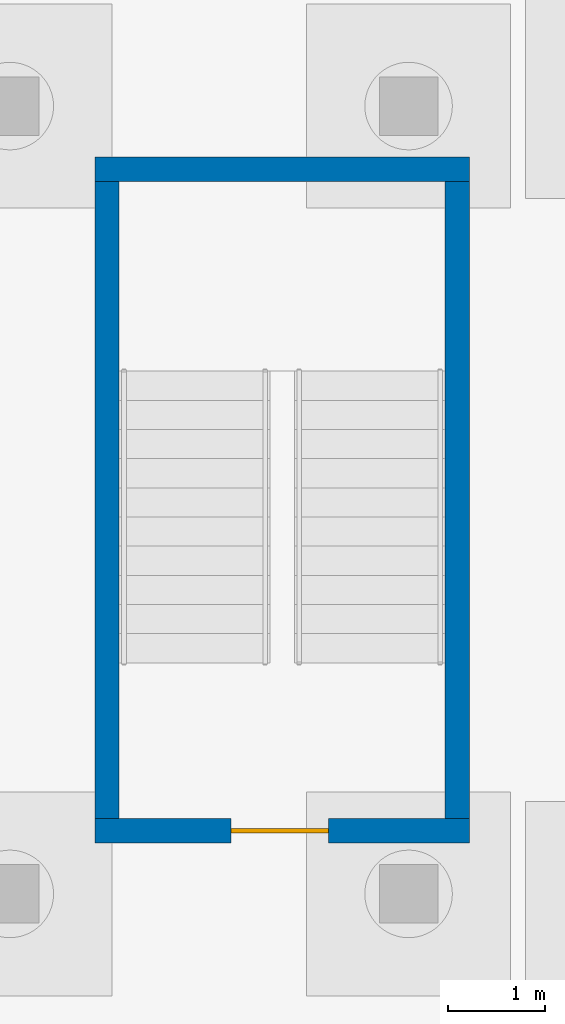
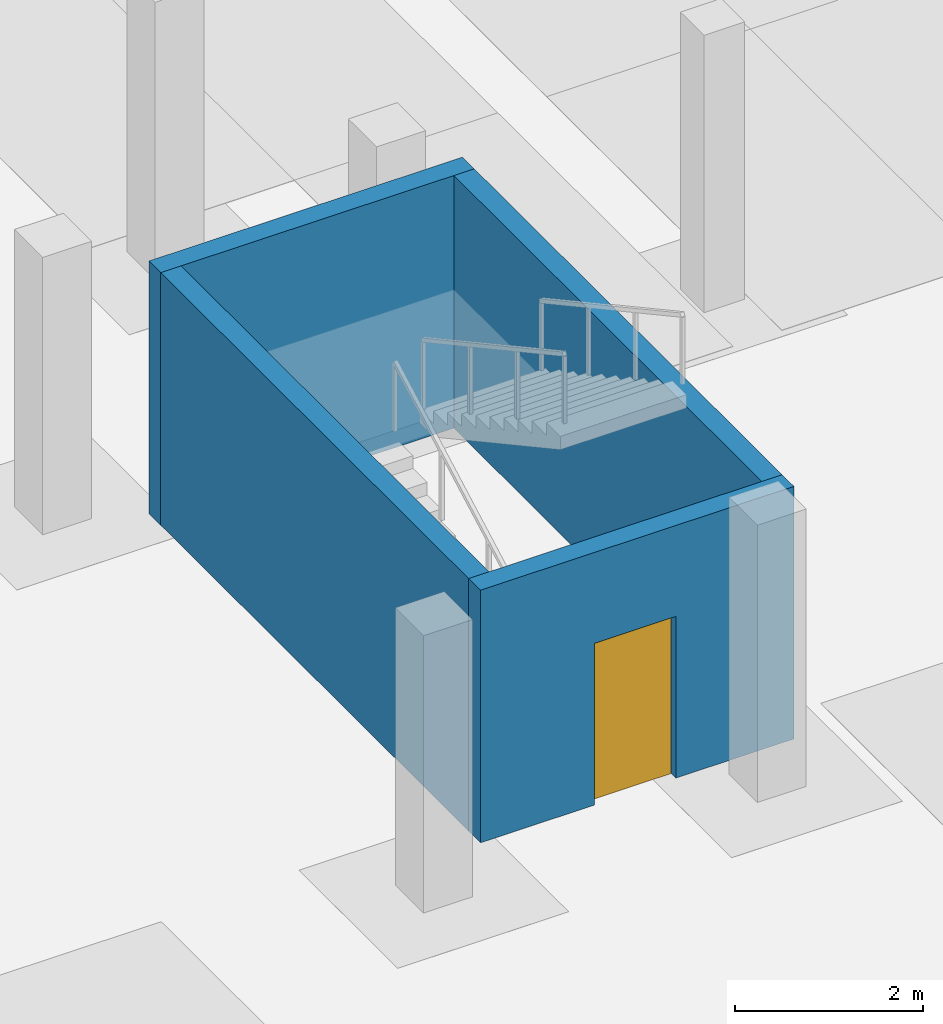
# One storey, part 19 of 23: 4 walls, 1 door, 1 opening.
"""IFC4 building model written with IfcOpenShell, lengths in metres."""

from ifc_helpers import new_model, si_unit, direction, frame, frame_2d, origin, place, context, subcontext, project, spatial, rectangle, extrude, material, layer, layer_set, type_object, element, fill, save


model = new_model("IFC4")

# Units and contexts
model_context = context("Model", 3, precision=1e-05, world=origin(), true_north=direction((0.0, 1.0)))
body_context = subcontext(model_context, "Body", "Model", "MODEL_VIEW")
ifc_project = project(units=[si_unit("LENGTHUNIT", "METRE"), si_unit("AREAUNIT", "SQUARE_METRE"), si_unit("VOLUMEUNIT", "CUBIC_METRE"), si_unit("PLANEANGLEUNIT", "RADIAN"), si_unit("MASSUNIT", "GRAM", prefix="KILO")], contexts=[model_context])

# Site, building, storey
site_placement = place(None, origin())
site = spatial("IfcSite", under=ifc_project, at=site_placement, CompositionType="ELEMENT")
building_placement = place(site_placement, origin())
building = spatial("IfcBuilding", under=site, at=building_placement, Name="Torre Triforio", CompositionType="ELEMENT")
storey_placement = place(building_placement, frame((0.0, 0.0, -10.800048828125)))
storey = spatial("IfcBuildingStorey", under=building, at=storey_placement, Name="B3", CompositionType="ELEMENT", Elevation=-10.800048828125)

# Wall, opening, door
ifc_material_1 = material(Name="Concrete C40", Category="concrete")
ifc_layer = layer(ifc_material_1, 0.25)
ifc_layer_set = layer_set([ifc_layer], Name="Concrete C40")
wall_type = type_object("IfcWallType", Name="Stair enclosure wall 250 EI 120", PredefinedType="STANDARD", material=ifc_layer_set)
wall_1_placement = place(storey_placement, frame((73.77490234375, 24.949951171875, 0.0), z_axis=(0.0, 0.0, 1.0), x_axis=(1.0, 0.0, 0.0)))
wall_1 = element("IfcWall", 1, at=wall_1_placement, inside=storey, type_object=wall_type, Name="Stair enclosure wall B3 013", PredefinedType="STANDARD", context=body_context, shape_type="SweptSolid", body=[
    extrude(rectangle(XDim=3.85009765625, YDim=0.25, at=frame_2d((1.925048828125, 0.0))), origin(), (0.0, 0.0, 1.0), 3.280029296875),
])
opening_placement = place(wall_1_placement, frame((1.39990234375, 0.0, 0.0)))
opening = element("IfcOpeningElement", 2, at=opening_placement, cuts=wall_1, Name="Opening BS3-04", PredefinedType="OPENING", context=body_context, shape_type="SweptSolid", body=[
    extrude(rectangle(XDim=1.0, YDim=2.10009765625, at=frame_2d((0.5, 1.050048828125))), frame((0.0, 0.135009765625, 0.0), z_axis=(0.0, -1.0, 0.0), x_axis=(1.0, 0.0, 0.0)), (0.0, 0.0, 1.0), 0.27001953125),
])
ifc_material_2 = material(Name="Hollow metal fire door leaf")
door_type = type_object("IfcDoorType", Name="Stair door 1000 x 2100 EI 90", OperationType="NOTDEFINED", PredefinedType="DOOR", material=ifc_material_2)
door_placement = place(opening_placement, origin())
door = element("IfcDoor", 3, at=door_placement, inside=storey, type_object=door_type, Name="Door BS3-04", OperationType="SINGLE_SWING_LEFT", OverallHeight=2.10009765625, OverallWidth=1.0, PredefinedType="DOOR", context=body_context, shape_type="SweptSolid", body=[
    extrude(rectangle(XDim=1.0, YDim=2.10009765625, at=frame_2d((0.5, 1.050048828125))), frame((0.0, 0.02490234375, 0.0), z_axis=(0.0, -1.0, 0.0), x_axis=(1.0, 0.0, 0.0)), (0.0, 0.0, 1.0), 0.050048828125),
])
fill(opening, door)

# Walls
wall_2_placement = place(storey_placement, frame((73.77490234375, 31.75, 0.0), z_axis=(0.0, 0.0, 1.0), x_axis=(1.0, 0.0, 0.0)))
element("IfcWall", 4, at=wall_2_placement, inside=storey, type_object=wall_type, Name="Stair enclosure wall B3 014", PredefinedType="STANDARD", context=body_context, shape_type="SweptSolid", body=[
    extrude(rectangle(XDim=3.85009765625, YDim=0.25, at=frame_2d((1.925048828125, 0.0))), origin(), (0.0, 0.0, 1.0), 3.280029296875),
])
for number, where, z_axis, x_axis, name in (
    (5, (73.89990234375, 25.074951171875, 0.0), (0.0, 0.0, 1.0), (0.0, 1.0, 0.0), "Stair enclosure wall B3 015"),
    (6, (77.5, 25.074951171875, 0.0), (0.0, 0.0, 1.0), (0.0, 1.0, 0.0), "Stair enclosure wall B3 016"),
):
    element("IfcWall", number, at=place(storey_placement, frame(where, z_axis=z_axis, x_axis=x_axis)), inside=storey, type_object=wall_type, Name=name, PredefinedType="STANDARD", context=body_context, shape_type="SweptSolid", body=[
        extrude(rectangle(XDim=6.550048828125, YDim=0.25, at=frame_2d((3.27490234375, 0.0))), origin(), (0.0, 0.0, 1.0), 3.280029296875),
    ])

save(model, "model.ifc")
